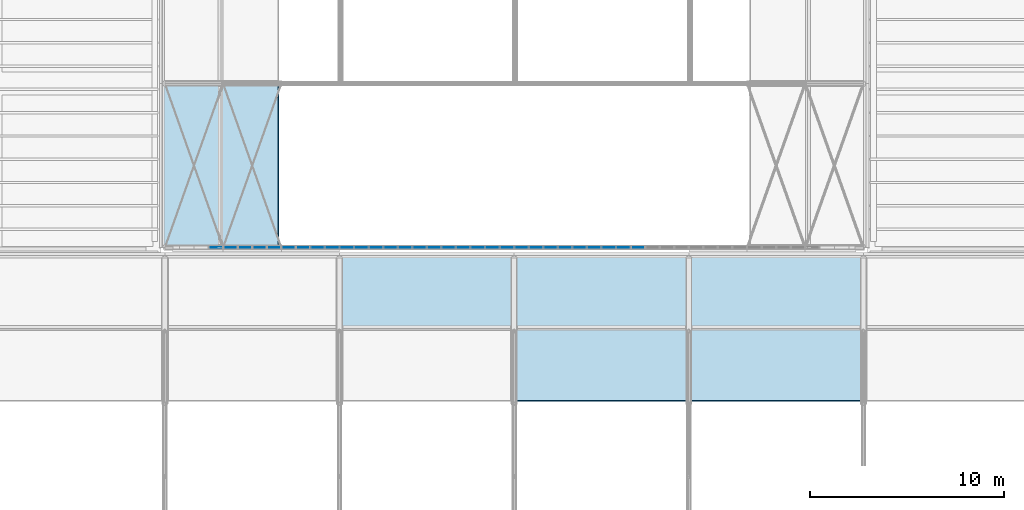
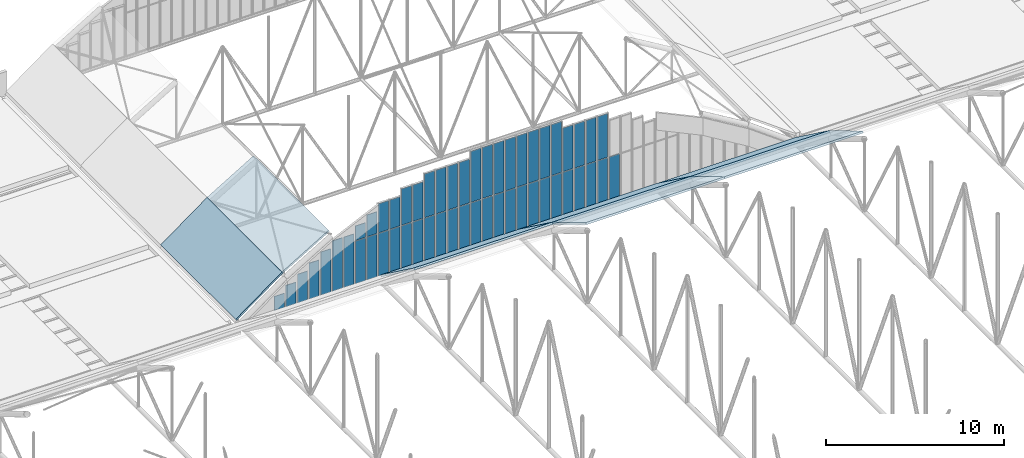
# One storey, part 96 of 153: 52 plates, 7 slabs, 30 elements without a shape of their own.
"""IFC4 building model written with IfcOpenShell, lengths in metres."""

from ifc_helpers import new_model, si_unit, direction, frame, origin, origin_2d, place, context, subcontext, project, spatial, polyline, rectangle, outline, extrude, material, layer, layer_set, type_object, element, aggregate, save


model = new_model("IFC4")

# Units and contexts
model_context = context("Model", 3, precision=1e-05, world=origin(), true_north=direction((0.0, 1.0)))
body_context = subcontext(model_context, "Body", "Model", "MODEL_VIEW")
ifc_project = project(units=[si_unit("LENGTHUNIT", "METRE"), si_unit("AREAUNIT", "SQUARE_METRE"), si_unit("VOLUMEUNIT", "CUBIC_METRE"), si_unit("PLANEANGLEUNIT", "RADIAN"), si_unit("MASSUNIT", "GRAM", prefix="KILO")], contexts=[model_context])

# Site, building, storey
site_placement = place(None, origin())
site = spatial("IfcSite", under=ifc_project, at=site_placement, CompositionType="ELEMENT")
building_placement = place(site_placement, origin())
building = spatial("IfcBuilding", under=site, at=building_placement, Name="Baradari Gate Terminus", CompositionType="ELEMENT")
storey_placement = place(building_placement, frame((0.0, 0.0, 11.699951171875)))
storey = spatial("IfcBuildingStorey", under=building, at=storey_placement, Name="L02", CompositionType="ELEMENT", Elevation=11.699951171875)

# Curtain wall, plate
ifc_material_1 = material(Name="Aluminium 6063-T6", Category="aluminium")
curtain_wall_type = type_object("IfcCurtainWallType", Name="Curtain wall CW-60 hall gable glazing", PredefinedType="NOTDEFINED", material=ifc_material_1)
curtain_wall_1_placement = place(storey_placement, origin())
curtain_wall_1 = element("IfcCurtainWall", 1, at=curtain_wall_1_placement, inside=storey, type_object=curtain_wall_type, Name="Hall gable glazing S4", PredefinedType="NOTDEFINED")
ifc_material_2 = material(Name="Insulating glass unit", Category="glass")
ifc_layer_1 = layer(ifc_material_2, 0.0439453125)
ifc_layer_set_1 = layer_set([ifc_layer_1], Name="Insulating glass unit")
plate_type = type_object("IfcPlateType", Name="Curtain wall glazing unit CP-60 44", PredefinedType="CURTAIN_PANEL", material=ifc_layer_set_1)
plate_1_placement = place(storey_placement, frame((137.625, 81.550048828125, 0.28466796875), z_axis=(0.0, 0.0, 1.0), x_axis=(1.0, 0.0, 0.0)))
plate_1 = element("IfcPlate", 2, at=plate_1_placement, type_object=plate_type, Name="CW-60 panel 1.1", PredefinedType="CURTAIN_PANEL", context=body_context, shape_type="SweptSolid", body=[
    extrude(rectangle(XDim=0.64990234375, YDim=0.0439453125, at=origin_2d()), origin(), (0.0, 0.0, 1.0), 0.965576171875),
])
aggregate(curtain_wall_1, [plate_1])

curtain_wall_2_placement = place(storey_placement, origin())
curtain_wall_2 = element("IfcCurtainWall", 3, at=curtain_wall_2_placement, inside=storey, type_object=curtain_wall_type, Name="Hall gable glazing S5", PredefinedType="NOTDEFINED")
plate_2_placement = place(storey_placement, frame((138.375, 81.550048828125, 0.28466796875), z_axis=(0.0, 0.0, 1.0), x_axis=(1.0, 0.0, 0.0)))
plate_2 = element("IfcPlate", 4, at=plate_2_placement, type_object=plate_type, Name="CW-60 panel 1.1", PredefinedType="CURTAIN_PANEL", context=body_context, shape_type="SweptSolid", body=[
    extrude(rectangle(XDim=0.64990234375, YDim=0.0439453125, at=origin_2d()), origin(), (0.0, 0.0, 1.0), 1.465576171875),
])
aggregate(curtain_wall_2, [plate_2])

curtain_wall_3_placement = place(storey_placement, origin())
curtain_wall_3 = element("IfcCurtainWall", 5, at=curtain_wall_3_placement, inside=storey, type_object=curtain_wall_type, Name="Hall gable glazing S6", PredefinedType="NOTDEFINED")
plate_3_placement = place(storey_placement, frame((139.125, 81.550048828125, 0.28466796875), z_axis=(0.0, 0.0, 1.0), x_axis=(1.0, 0.0, 0.0)))
plate_3 = element("IfcPlate", 6, at=plate_3_placement, type_object=plate_type, Name="CW-60 panel 1.1", PredefinedType="CURTAIN_PANEL", context=body_context, shape_type="SweptSolid", body=[
    extrude(rectangle(XDim=0.64990234375, YDim=0.0439453125, at=origin_2d()), origin(), (0.0, 0.0, 1.0), 1.965576171875),
])
aggregate(curtain_wall_3, [plate_3])

curtain_wall_4_placement = place(storey_placement, origin())
curtain_wall_4 = element("IfcCurtainWall", 7, at=curtain_wall_4_placement, inside=storey, type_object=curtain_wall_type, Name="Hall gable glazing S7", PredefinedType="NOTDEFINED")
plate_4_placement = place(storey_placement, frame((139.875, 81.550048828125, 0.28466796875), z_axis=(0.0, 0.0, 1.0), x_axis=(1.0, 0.0, 0.0)))
plate_4 = element("IfcPlate", 8, at=plate_4_placement, type_object=plate_type, Name="CW-60 panel 1.1", PredefinedType="CURTAIN_PANEL", context=body_context, shape_type="SweptSolid", body=[
    extrude(rectangle(XDim=0.64990234375, YDim=0.0439453125, at=origin_2d()), origin(), (0.0, 0.0, 1.0), 2.465576171875),
])
aggregate(curtain_wall_4, [plate_4])

curtain_wall_5_placement = place(storey_placement, origin())
curtain_wall_5 = element("IfcCurtainWall", 9, at=curtain_wall_5_placement, inside=storey, type_object=curtain_wall_type, Name="Hall gable glazing S8", PredefinedType="NOTDEFINED")
plate_5_placement = place(storey_placement, frame((140.625, 81.550048828125, 0.28466796875), z_axis=(0.0, 0.0, 1.0), x_axis=(1.0, 0.0, 0.0)))
plate_5 = element("IfcPlate", 10, at=plate_5_placement, type_object=plate_type, Name="CW-60 panel 1.1", PredefinedType="CURTAIN_PANEL", context=body_context, shape_type="SweptSolid", body=[
    extrude(rectangle(XDim=0.64990234375, YDim=0.0439453125, at=origin_2d()), origin(), (0.0, 0.0, 1.0), 2.965576171875),
])
aggregate(curtain_wall_5, [plate_5])

curtain_wall_6_placement = place(storey_placement, origin())
curtain_wall_6 = element("IfcCurtainWall", 11, at=curtain_wall_6_placement, inside=storey, type_object=curtain_wall_type, Name="Hall gable glazing S9", PredefinedType="NOTDEFINED")
plate_6_placement = place(storey_placement, frame((141.375, 81.550048828125, 0.28466796875), z_axis=(0.0, 0.0, 1.0), x_axis=(1.0, 0.0, 0.0)))
plate_6 = element("IfcPlate", 12, at=plate_6_placement, type_object=plate_type, Name="CW-60 panel 1.1", PredefinedType="CURTAIN_PANEL", context=body_context, shape_type="SweptSolid", body=[
    extrude(rectangle(XDim=0.64990234375, YDim=0.0439453125, at=origin_2d()), origin(), (0.0, 0.0, 1.0), 3.465576171875),
])
aggregate(curtain_wall_6, [plate_6])

curtain_wall_7_placement = place(storey_placement, origin())
curtain_wall_7 = element("IfcCurtainWall", 13, at=curtain_wall_7_placement, inside=storey, type_object=curtain_wall_type, Name="Hall gable glazing S10", PredefinedType="NOTDEFINED")
plate_7_placement = place(storey_placement, frame((142.125, 81.550048828125, 0.28466796875), z_axis=(0.0, 0.0, 1.0), x_axis=(1.0, 0.0, 0.0)))
plate_7 = element("IfcPlate", 14, at=plate_7_placement, type_object=plate_type, Name="CW-60 panel 1.1", PredefinedType="CURTAIN_PANEL", context=body_context, shape_type="SweptSolid", body=[
    extrude(rectangle(XDim=0.64990234375, YDim=0.0439453125, at=origin_2d()), origin(), (0.0, 0.0, 1.0), 3.465576171875),
])
aggregate(curtain_wall_7, [plate_7])

# Curtain wall, plates
curtain_wall_8_placement = place(storey_placement, origin())
curtain_wall_8 = element("IfcCurtainWall", 15, at=curtain_wall_8_placement, inside=storey, type_object=curtain_wall_type, Name="Hall gable glazing S11", PredefinedType="NOTDEFINED")
plate_8_placement = place(storey_placement, frame((142.875, 81.550048828125, 0.28466796875), z_axis=(0.0, 0.0, 1.0), x_axis=(1.0, 0.0, 0.0)))
plate_8 = element("IfcPlate", 16, at=plate_8_placement, type_object=plate_type, Name="CW-60 panel 1.1", PredefinedType="CURTAIN_PANEL", context=body_context, shape_type="SweptSolid", body=[
    extrude(rectangle(XDim=0.64990234375, YDim=0.0439453125, at=origin_2d()), origin(), (0.0, 0.0, 1.0), 2.925048828125),
])
plate_9_placement = place(storey_placement, frame((142.875, 81.550048828125, 3.259765625), z_axis=(0.0, 0.0, 1.0), x_axis=(1.0, 0.0, 0.0)))
plate_9 = element("IfcPlate", 17, at=plate_9_placement, type_object=plate_type, Name="CW-60 panel 1.2", PredefinedType="CURTAIN_PANEL", context=body_context, shape_type="SweptSolid", body=[
    extrude(rectangle(XDim=0.64990234375, YDim=0.0439453125, at=origin_2d()), origin(), (0.0, 0.0, 1.0), 0.990478515625),
])
aggregate(curtain_wall_8, [plate_8, plate_9])

curtain_wall_9_placement = place(storey_placement, origin())
curtain_wall_9 = element("IfcCurtainWall", 18, at=curtain_wall_9_placement, inside=storey, type_object=curtain_wall_type, Name="Hall gable glazing S12", PredefinedType="NOTDEFINED")
plate_10_placement = place(storey_placement, frame((143.625, 81.550048828125, 0.28466796875), z_axis=(0.0, 0.0, 1.0), x_axis=(1.0, 0.0, 0.0)))
plate_10 = element("IfcPlate", 19, at=plate_10_placement, type_object=plate_type, Name="CW-60 panel 1.1", PredefinedType="CURTAIN_PANEL", context=body_context, shape_type="SweptSolid", body=[
    extrude(rectangle(XDim=0.64990234375, YDim=0.0439453125, at=origin_2d()), origin(), (0.0, 0.0, 1.0), 2.925048828125),
])
plate_11_placement = place(storey_placement, frame((143.625, 81.550048828125, 3.259765625), z_axis=(0.0, 0.0, 1.0), x_axis=(1.0, 0.0, 0.0)))
plate_11 = element("IfcPlate", 20, at=plate_11_placement, type_object=plate_type, Name="CW-60 panel 1.2", PredefinedType="CURTAIN_PANEL", context=body_context, shape_type="SweptSolid", body=[
    extrude(rectangle(XDim=0.64990234375, YDim=0.0439453125, at=origin_2d()), origin(), (0.0, 0.0, 1.0), 1.490478515625),
])
aggregate(curtain_wall_9, [plate_10, plate_11])

curtain_wall_10_placement = place(storey_placement, origin())
curtain_wall_10 = element("IfcCurtainWall", 21, at=curtain_wall_10_placement, inside=storey, type_object=curtain_wall_type, Name="Hall gable glazing S13", PredefinedType="NOTDEFINED")
plate_12_placement = place(storey_placement, frame((144.375, 81.550048828125, 0.28466796875), z_axis=(0.0, 0.0, 1.0), x_axis=(1.0, 0.0, 0.0)))
plate_12 = element("IfcPlate", 22, at=plate_12_placement, type_object=plate_type, Name="CW-60 panel 1.1", PredefinedType="CURTAIN_PANEL", context=body_context, shape_type="SweptSolid", body=[
    extrude(rectangle(XDim=0.64990234375, YDim=0.0439453125, at=origin_2d()), origin(), (0.0, 0.0, 1.0), 2.925048828125),
])
plate_13_placement = place(storey_placement, frame((144.375, 81.550048828125, 3.259765625), z_axis=(0.0, 0.0, 1.0), x_axis=(1.0, 0.0, 0.0)))
plate_13 = element("IfcPlate", 23, at=plate_13_placement, type_object=plate_type, Name="CW-60 panel 1.2", PredefinedType="CURTAIN_PANEL", context=body_context, shape_type="SweptSolid", body=[
    extrude(rectangle(XDim=0.64990234375, YDim=0.0439453125, at=origin_2d()), origin(), (0.0, 0.0, 1.0), 1.990478515625),
])
aggregate(curtain_wall_10, [plate_12, plate_13])

curtain_wall_11_placement = place(storey_placement, origin())
curtain_wall_11 = element("IfcCurtainWall", 24, at=curtain_wall_11_placement, inside=storey, type_object=curtain_wall_type, Name="Hall gable glazing S14", PredefinedType="NOTDEFINED")
plate_14_placement = place(storey_placement, frame((145.125, 81.550048828125, 0.28466796875), z_axis=(0.0, 0.0, 1.0), x_axis=(1.0, 0.0, 0.0)))
plate_14 = element("IfcPlate", 25, at=plate_14_placement, type_object=plate_type, Name="CW-60 panel 1.1", PredefinedType="CURTAIN_PANEL", context=body_context, shape_type="SweptSolid", body=[
    extrude(rectangle(XDim=0.64990234375, YDim=0.0439453125, at=origin_2d()), origin(), (0.0, 0.0, 1.0), 2.925048828125),
])
plate_15_placement = place(storey_placement, frame((145.125, 81.550048828125, 3.259765625), z_axis=(0.0, 0.0, 1.0), x_axis=(1.0, 0.0, 0.0)))
plate_15 = element("IfcPlate", 26, at=plate_15_placement, type_object=plate_type, Name="CW-60 panel 1.2", PredefinedType="CURTAIN_PANEL", context=body_context, shape_type="SweptSolid", body=[
    extrude(rectangle(XDim=0.64990234375, YDim=0.0439453125, at=origin_2d()), origin(), (0.0, 0.0, 1.0), 1.990478515625),
])
aggregate(curtain_wall_11, [plate_14, plate_15])

curtain_wall_12_placement = place(storey_placement, origin())
curtain_wall_12 = element("IfcCurtainWall", 27, at=curtain_wall_12_placement, inside=storey, type_object=curtain_wall_type, Name="Hall gable glazing S15", PredefinedType="NOTDEFINED")
plate_16_placement = place(storey_placement, frame((145.875, 81.550048828125, 0.28466796875), z_axis=(0.0, 0.0, 1.0), x_axis=(1.0, 0.0, 0.0)))
plate_16 = element("IfcPlate", 28, at=plate_16_placement, type_object=plate_type, Name="CW-60 panel 1.1", PredefinedType="CURTAIN_PANEL", context=body_context, shape_type="SweptSolid", body=[
    extrude(rectangle(XDim=0.64990234375, YDim=0.0439453125, at=origin_2d()), origin(), (0.0, 0.0, 1.0), 2.925048828125),
])
plate_17_placement = place(storey_placement, frame((145.875, 81.550048828125, 3.259765625), z_axis=(0.0, 0.0, 1.0), x_axis=(1.0, 0.0, 0.0)))
plate_17 = element("IfcPlate", 29, at=plate_17_placement, type_object=plate_type, Name="CW-60 panel 1.2", PredefinedType="CURTAIN_PANEL", context=body_context, shape_type="SweptSolid", body=[
    extrude(rectangle(XDim=0.64990234375, YDim=0.0439453125, at=origin_2d()), origin(), (0.0, 0.0, 1.0), 2.490478515625),
])
aggregate(curtain_wall_12, [plate_16, plate_17])

curtain_wall_13_placement = place(storey_placement, origin())
curtain_wall_13 = element("IfcCurtainWall", 30, at=curtain_wall_13_placement, inside=storey, type_object=curtain_wall_type, Name="Hall gable glazing S16", PredefinedType="NOTDEFINED")
plate_18_placement = place(storey_placement, frame((146.625, 81.550048828125, 0.28466796875), z_axis=(0.0, 0.0, 1.0), x_axis=(1.0, 0.0, 0.0)))
plate_18 = element("IfcPlate", 31, at=plate_18_placement, type_object=plate_type, Name="CW-60 panel 1.1", PredefinedType="CURTAIN_PANEL", context=body_context, shape_type="SweptSolid", body=[
    extrude(rectangle(XDim=0.64990234375, YDim=0.0439453125, at=origin_2d()), origin(), (0.0, 0.0, 1.0), 2.925048828125),
])
plate_19_placement = place(storey_placement, frame((146.625, 81.550048828125, 3.259765625), z_axis=(0.0, 0.0, 1.0), x_axis=(1.0, 0.0, 0.0)))
plate_19 = element("IfcPlate", 32, at=plate_19_placement, type_object=plate_type, Name="CW-60 panel 1.2", PredefinedType="CURTAIN_PANEL", context=body_context, shape_type="SweptSolid", body=[
    extrude(rectangle(XDim=0.64990234375, YDim=0.0439453125, at=origin_2d()), origin(), (0.0, 0.0, 1.0), 2.490478515625),
])
aggregate(curtain_wall_13, [plate_18, plate_19])

curtain_wall_14_placement = place(storey_placement, origin())
curtain_wall_14 = element("IfcCurtainWall", 33, at=curtain_wall_14_placement, inside=storey, type_object=curtain_wall_type, Name="Hall gable glazing S17", PredefinedType="NOTDEFINED")
plate_20_placement = place(storey_placement, frame((147.375, 81.550048828125, 0.28466796875), z_axis=(0.0, 0.0, 1.0), x_axis=(1.0, 0.0, 0.0)))
plate_20 = element("IfcPlate", 34, at=plate_20_placement, type_object=plate_type, Name="CW-60 panel 1.1", PredefinedType="CURTAIN_PANEL", context=body_context, shape_type="SweptSolid", body=[
    extrude(rectangle(XDim=0.64990234375, YDim=0.0439453125, at=origin_2d()), origin(), (0.0, 0.0, 1.0), 2.925048828125),
])
plate_21_placement = place(storey_placement, frame((147.375, 81.550048828125, 3.259765625), z_axis=(0.0, 0.0, 1.0), x_axis=(1.0, 0.0, 0.0)))
plate_21 = element("IfcPlate", 35, at=plate_21_placement, type_object=plate_type, Name="CW-60 panel 1.2", PredefinedType="CURTAIN_PANEL", context=body_context, shape_type="SweptSolid", body=[
    extrude(rectangle(XDim=0.64990234375, YDim=0.0439453125, at=origin_2d()), origin(), (0.0, 0.0, 1.0), 2.990478515625),
])
aggregate(curtain_wall_14, [plate_20, plate_21])

curtain_wall_15_placement = place(storey_placement, origin())
curtain_wall_15 = element("IfcCurtainWall", 36, at=curtain_wall_15_placement, inside=storey, type_object=curtain_wall_type, Name="Hall gable glazing S18", PredefinedType="NOTDEFINED")
plate_22_placement = place(storey_placement, frame((148.125, 81.550048828125, 0.28466796875), z_axis=(0.0, 0.0, 1.0), x_axis=(1.0, 0.0, 0.0)))
plate_22 = element("IfcPlate", 37, at=plate_22_placement, type_object=plate_type, Name="CW-60 panel 1.1", PredefinedType="CURTAIN_PANEL", context=body_context, shape_type="SweptSolid", body=[
    extrude(rectangle(XDim=0.64990234375, YDim=0.0439453125, at=origin_2d()), origin(), (0.0, 0.0, 1.0), 2.925048828125),
])
plate_23_placement = place(storey_placement, frame((148.125, 81.550048828125, 3.259765625), z_axis=(0.0, 0.0, 1.0), x_axis=(1.0, 0.0, 0.0)))
plate_23 = element("IfcPlate", 38, at=plate_23_placement, type_object=plate_type, Name="CW-60 panel 1.2", PredefinedType="CURTAIN_PANEL", context=body_context, shape_type="SweptSolid", body=[
    extrude(rectangle(XDim=0.64990234375, YDim=0.0439453125, at=origin_2d()), origin(), (0.0, 0.0, 1.0), 2.990478515625),
])
aggregate(curtain_wall_15, [plate_22, plate_23])

curtain_wall_16_placement = place(storey_placement, origin())
curtain_wall_16 = element("IfcCurtainWall", 39, at=curtain_wall_16_placement, inside=storey, type_object=curtain_wall_type, Name="Hall gable glazing S19", PredefinedType="NOTDEFINED")
plate_24_placement = place(storey_placement, frame((148.875, 81.550048828125, 0.28466796875), z_axis=(0.0, 0.0, 1.0), x_axis=(1.0, 0.0, 0.0)))
plate_24 = element("IfcPlate", 40, at=plate_24_placement, type_object=plate_type, Name="CW-60 panel 1.1", PredefinedType="CURTAIN_PANEL", context=body_context, shape_type="SweptSolid", body=[
    extrude(rectangle(XDim=0.64990234375, YDim=0.0439453125, at=origin_2d()), origin(), (0.0, 0.0, 1.0), 2.925048828125),
])
plate_25_placement = place(storey_placement, frame((148.875, 81.550048828125, 3.259765625), z_axis=(0.0, 0.0, 1.0), x_axis=(1.0, 0.0, 0.0)))
plate_25 = element("IfcPlate", 41, at=plate_25_placement, type_object=plate_type, Name="CW-60 panel 1.2", PredefinedType="CURTAIN_PANEL", context=body_context, shape_type="SweptSolid", body=[
    extrude(rectangle(XDim=0.64990234375, YDim=0.0439453125, at=origin_2d()), origin(), (0.0, 0.0, 1.0), 2.990478515625),
])
aggregate(curtain_wall_16, [plate_24, plate_25])

curtain_wall_17_placement = place(storey_placement, origin())
curtain_wall_17 = element("IfcCurtainWall", 42, at=curtain_wall_17_placement, inside=storey, type_object=curtain_wall_type, Name="Hall gable glazing S20", PredefinedType="NOTDEFINED")
plate_26_placement = place(storey_placement, frame((149.625, 81.550048828125, 0.28466796875), z_axis=(0.0, 0.0, 1.0), x_axis=(1.0, 0.0, 0.0)))
plate_26 = element("IfcPlate", 43, at=plate_26_placement, type_object=plate_type, Name="CW-60 panel 1.1", PredefinedType="CURTAIN_PANEL", context=body_context, shape_type="SweptSolid", body=[
    extrude(rectangle(XDim=0.64990234375, YDim=0.0439453125, at=origin_2d()), origin(), (0.0, 0.0, 1.0), 2.925048828125),
])
plate_27_placement = place(storey_placement, frame((149.625, 81.550048828125, 3.259765625), z_axis=(0.0, 0.0, 1.0), x_axis=(1.0, 0.0, 0.0)))
plate_27 = element("IfcPlate", 44, at=plate_27_placement, type_object=plate_type, Name="CW-60 panel 1.2", PredefinedType="CURTAIN_PANEL", context=body_context, shape_type="SweptSolid", body=[
    extrude(rectangle(XDim=0.64990234375, YDim=0.0439453125, at=origin_2d()), origin(), (0.0, 0.0, 1.0), 2.990478515625),
])
aggregate(curtain_wall_17, [plate_26, plate_27])

curtain_wall_18_placement = place(storey_placement, origin())
curtain_wall_18 = element("IfcCurtainWall", 45, at=curtain_wall_18_placement, inside=storey, type_object=curtain_wall_type, Name="Hall gable glazing S21", PredefinedType="NOTDEFINED")
plate_28_placement = place(storey_placement, frame((150.375, 81.550048828125, 0.28466796875), z_axis=(0.0, 0.0, 1.0), x_axis=(1.0, 0.0, 0.0)))
plate_28 = element("IfcPlate", 46, at=plate_28_placement, type_object=plate_type, Name="CW-60 panel 1.1", PredefinedType="CURTAIN_PANEL", context=body_context, shape_type="SweptSolid", body=[
    extrude(rectangle(XDim=0.64990234375, YDim=0.0439453125, at=origin_2d()), origin(), (0.0, 0.0, 1.0), 2.925048828125),
])
plate_29_placement = place(storey_placement, frame((150.375, 81.550048828125, 3.259765625), z_axis=(0.0, 0.0, 1.0), x_axis=(1.0, 0.0, 0.0)))
plate_29 = element("IfcPlate", 47, at=plate_29_placement, type_object=plate_type, Name="CW-60 panel 1.2", PredefinedType="CURTAIN_PANEL", context=body_context, shape_type="SweptSolid", body=[
    extrude(rectangle(XDim=0.64990234375, YDim=0.0439453125, at=origin_2d()), origin(), (0.0, 0.0, 1.0), 3.490478515625),
])
aggregate(curtain_wall_18, [plate_28, plate_29])

curtain_wall_19_placement = place(storey_placement, origin())
curtain_wall_19 = element("IfcCurtainWall", 48, at=curtain_wall_19_placement, inside=storey, type_object=curtain_wall_type, Name="Hall gable glazing S22", PredefinedType="NOTDEFINED")
plate_30_placement = place(storey_placement, frame((151.125, 81.550048828125, 0.28466796875), z_axis=(0.0, 0.0, 1.0), x_axis=(1.0, 0.0, 0.0)))
plate_30 = element("IfcPlate", 49, at=plate_30_placement, type_object=plate_type, Name="CW-60 panel 1.1", PredefinedType="CURTAIN_PANEL", context=body_context, shape_type="SweptSolid", body=[
    extrude(rectangle(XDim=0.64990234375, YDim=0.0439453125, at=origin_2d()), origin(), (0.0, 0.0, 1.0), 2.925048828125),
])
plate_31_placement = place(storey_placement, frame((151.125, 81.550048828125, 3.259765625), z_axis=(0.0, 0.0, 1.0), x_axis=(1.0, 0.0, 0.0)))
plate_31 = element("IfcPlate", 50, at=plate_31_placement, type_object=plate_type, Name="CW-60 panel 1.2", PredefinedType="CURTAIN_PANEL", context=body_context, shape_type="SweptSolid", body=[
    extrude(rectangle(XDim=0.64990234375, YDim=0.0439453125, at=origin_2d()), origin(), (0.0, 0.0, 1.0), 3.490478515625),
])
aggregate(curtain_wall_19, [plate_30, plate_31])

curtain_wall_20_placement = place(storey_placement, origin())
curtain_wall_20 = element("IfcCurtainWall", 51, at=curtain_wall_20_placement, inside=storey, type_object=curtain_wall_type, Name="Hall gable glazing S23", PredefinedType="NOTDEFINED")
plate_32_placement = place(storey_placement, frame((151.875, 81.550048828125, 0.28466796875), z_axis=(0.0, 0.0, 1.0), x_axis=(1.0, 0.0, 0.0)))
plate_32 = element("IfcPlate", 52, at=plate_32_placement, type_object=plate_type, Name="CW-60 panel 1.1", PredefinedType="CURTAIN_PANEL", context=body_context, shape_type="SweptSolid", body=[
    extrude(rectangle(XDim=0.64990234375, YDim=0.0439453125, at=origin_2d()), origin(), (0.0, 0.0, 1.0), 2.925048828125),
])
plate_33_placement = place(storey_placement, frame((151.875, 81.550048828125, 3.259765625), z_axis=(0.0, 0.0, 1.0), x_axis=(1.0, 0.0, 0.0)))
plate_33 = element("IfcPlate", 53, at=plate_33_placement, type_object=plate_type, Name="CW-60 panel 1.2", PredefinedType="CURTAIN_PANEL", context=body_context, shape_type="SweptSolid", body=[
    extrude(rectangle(XDim=0.64990234375, YDim=0.0439453125, at=origin_2d()), origin(), (0.0, 0.0, 1.0), 3.490478515625),
])
aggregate(curtain_wall_20, [plate_32, plate_33])

curtain_wall_21_placement = place(storey_placement, origin())
curtain_wall_21 = element("IfcCurtainWall", 54, at=curtain_wall_21_placement, inside=storey, type_object=curtain_wall_type, Name="Hall gable glazing S24", PredefinedType="NOTDEFINED")
plate_34_placement = place(storey_placement, frame((152.625, 81.550048828125, 0.28466796875), z_axis=(0.0, 0.0, 1.0), x_axis=(1.0, 0.0, 0.0)))
plate_34 = element("IfcPlate", 55, at=plate_34_placement, type_object=plate_type, Name="CW-60 panel 1.1", PredefinedType="CURTAIN_PANEL", context=body_context, shape_type="SweptSolid", body=[
    extrude(rectangle(XDim=0.64990234375, YDim=0.0439453125, at=origin_2d()), origin(), (0.0, 0.0, 1.0), 2.925048828125),
])
plate_35_placement = place(storey_placement, frame((152.625, 81.550048828125, 3.259765625), z_axis=(0.0, 0.0, 1.0), x_axis=(1.0, 0.0, 0.0)))
plate_35 = element("IfcPlate", 56, at=plate_35_placement, type_object=plate_type, Name="CW-60 panel 1.2", PredefinedType="CURTAIN_PANEL", context=body_context, shape_type="SweptSolid", body=[
    extrude(rectangle(XDim=0.64990234375, YDim=0.0439453125, at=origin_2d()), origin(), (0.0, 0.0, 1.0), 3.490478515625),
])
aggregate(curtain_wall_21, [plate_34, plate_35])

curtain_wall_22_placement = place(storey_placement, origin())
curtain_wall_22 = element("IfcCurtainWall", 57, at=curtain_wall_22_placement, inside=storey, type_object=curtain_wall_type, Name="Hall gable glazing S25", PredefinedType="NOTDEFINED")
plate_36_placement = place(storey_placement, frame((153.375, 81.550048828125, 0.28466796875), z_axis=(0.0, 0.0, 1.0), x_axis=(1.0, 0.0, 0.0)))
plate_36 = element("IfcPlate", 58, at=plate_36_placement, type_object=plate_type, Name="CW-60 panel 1.1", PredefinedType="CURTAIN_PANEL", context=body_context, shape_type="SweptSolid", body=[
    extrude(rectangle(XDim=0.64990234375, YDim=0.0439453125, at=origin_2d()), origin(), (0.0, 0.0, 1.0), 2.925048828125),
])
plate_37_placement = place(storey_placement, frame((153.375, 81.550048828125, 3.259765625), z_axis=(0.0, 0.0, 1.0), x_axis=(1.0, 0.0, 0.0)))
plate_37 = element("IfcPlate", 59, at=plate_37_placement, type_object=plate_type, Name="CW-60 panel 1.2", PredefinedType="CURTAIN_PANEL", context=body_context, shape_type="SweptSolid", body=[
    extrude(rectangle(XDim=0.64990234375, YDim=0.0439453125, at=origin_2d()), origin(), (0.0, 0.0, 1.0), 3.490478515625),
])
aggregate(curtain_wall_22, [plate_36, plate_37])

curtain_wall_23_placement = place(storey_placement, origin())
curtain_wall_23 = element("IfcCurtainWall", 60, at=curtain_wall_23_placement, inside=storey, type_object=curtain_wall_type, Name="Hall gable glazing S26", PredefinedType="NOTDEFINED")
plate_38_placement = place(storey_placement, frame((154.125, 81.550048828125, 0.28466796875), z_axis=(0.0, 0.0, 1.0), x_axis=(1.0, 0.0, 0.0)))
plate_38 = element("IfcPlate", 61, at=plate_38_placement, type_object=plate_type, Name="CW-60 panel 1.1", PredefinedType="CURTAIN_PANEL", context=body_context, shape_type="SweptSolid", body=[
    extrude(rectangle(XDim=0.64990234375, YDim=0.0439453125, at=origin_2d()), origin(), (0.0, 0.0, 1.0), 2.925048828125),
])
plate_39_placement = place(storey_placement, frame((154.125, 81.550048828125, 3.259765625), z_axis=(0.0, 0.0, 1.0), x_axis=(1.0, 0.0, 0.0)))
plate_39 = element("IfcPlate", 62, at=plate_39_placement, type_object=plate_type, Name="CW-60 panel 1.2", PredefinedType="CURTAIN_PANEL", context=body_context, shape_type="SweptSolid", body=[
    extrude(rectangle(XDim=0.64990234375, YDim=0.0439453125, at=origin_2d()), origin(), (0.0, 0.0, 1.0), 3.490478515625),
])
aggregate(curtain_wall_23, [plate_38, plate_39])

curtain_wall_24_placement = place(storey_placement, origin())
curtain_wall_24 = element("IfcCurtainWall", 63, at=curtain_wall_24_placement, inside=storey, type_object=curtain_wall_type, Name="Hall gable glazing S27", PredefinedType="NOTDEFINED")
plate_40_placement = place(storey_placement, frame((154.875, 81.550048828125, 0.28466796875), z_axis=(0.0, 0.0, 1.0), x_axis=(1.0, 0.0, 0.0)))
plate_40 = element("IfcPlate", 64, at=plate_40_placement, type_object=plate_type, Name="CW-60 panel 1.1", PredefinedType="CURTAIN_PANEL", context=body_context, shape_type="SweptSolid", body=[
    extrude(rectangle(XDim=0.64990234375, YDim=0.0439453125, at=origin_2d()), origin(), (0.0, 0.0, 1.0), 2.925048828125),
])
plate_41_placement = place(storey_placement, frame((154.875, 81.550048828125, 3.259765625), z_axis=(0.0, 0.0, 1.0), x_axis=(1.0, 0.0, 0.0)))
plate_41 = element("IfcPlate", 65, at=plate_41_placement, type_object=plate_type, Name="CW-60 panel 1.2", PredefinedType="CURTAIN_PANEL", context=body_context, shape_type="SweptSolid", body=[
    extrude(rectangle(XDim=0.64990234375, YDim=0.0439453125, at=origin_2d()), origin(), (0.0, 0.0, 1.0), 3.490478515625),
])
aggregate(curtain_wall_24, [plate_40, plate_41])

curtain_wall_25_placement = place(storey_placement, origin())
curtain_wall_25 = element("IfcCurtainWall", 66, at=curtain_wall_25_placement, inside=storey, type_object=curtain_wall_type, Name="Hall gable glazing S28", PredefinedType="NOTDEFINED")
plate_42_placement = place(storey_placement, frame((155.625, 81.550048828125, 0.28466796875), z_axis=(0.0, 0.0, 1.0), x_axis=(1.0, 0.0, 0.0)))
plate_42 = element("IfcPlate", 67, at=plate_42_placement, type_object=plate_type, Name="CW-60 panel 1.1", PredefinedType="CURTAIN_PANEL", context=body_context, shape_type="SweptSolid", body=[
    extrude(rectangle(XDim=0.64990234375, YDim=0.0439453125, at=origin_2d()), origin(), (0.0, 0.0, 1.0), 2.925048828125),
])
plate_43_placement = place(storey_placement, frame((155.625, 81.550048828125, 3.259765625), z_axis=(0.0, 0.0, 1.0), x_axis=(1.0, 0.0, 0.0)))
plate_43 = element("IfcPlate", 68, at=plate_43_placement, type_object=plate_type, Name="CW-60 panel 1.2", PredefinedType="CURTAIN_PANEL", context=body_context, shape_type="SweptSolid", body=[
    extrude(rectangle(XDim=0.64990234375, YDim=0.0439453125, at=origin_2d()), origin(), (0.0, 0.0, 1.0), 3.490478515625),
])
aggregate(curtain_wall_25, [plate_42, plate_43])

curtain_wall_26_placement = place(storey_placement, origin())
curtain_wall_26 = element("IfcCurtainWall", 69, at=curtain_wall_26_placement, inside=storey, type_object=curtain_wall_type, Name="Hall gable glazing S29", PredefinedType="NOTDEFINED")
plate_44_placement = place(storey_placement, frame((156.375, 81.550048828125, 0.28466796875), z_axis=(0.0, 0.0, 1.0), x_axis=(1.0, 0.0, 0.0)))
plate_44 = element("IfcPlate", 70, at=plate_44_placement, type_object=plate_type, Name="CW-60 panel 1.1", PredefinedType="CURTAIN_PANEL", context=body_context, shape_type="SweptSolid", body=[
    extrude(rectangle(XDim=0.64990234375, YDim=0.0439453125, at=origin_2d()), origin(), (0.0, 0.0, 1.0), 2.925048828125),
])
plate_45_placement = place(storey_placement, frame((156.375, 81.550048828125, 3.259765625), z_axis=(0.0, 0.0, 1.0), x_axis=(1.0, 0.0, 0.0)))
plate_45 = element("IfcPlate", 71, at=plate_45_placement, type_object=plate_type, Name="CW-60 panel 1.2", PredefinedType="CURTAIN_PANEL", context=body_context, shape_type="SweptSolid", body=[
    extrude(rectangle(XDim=0.64990234375, YDim=0.0439453125, at=origin_2d()), origin(), (0.0, 0.0, 1.0), 2.990478515625),
])
aggregate(curtain_wall_26, [plate_44, plate_45])

curtain_wall_27_placement = place(storey_placement, origin())
curtain_wall_27 = element("IfcCurtainWall", 72, at=curtain_wall_27_placement, inside=storey, type_object=curtain_wall_type, Name="Hall gable glazing S30", PredefinedType="NOTDEFINED")
plate_46_placement = place(storey_placement, frame((157.125, 81.550048828125, 0.28466796875), z_axis=(0.0, 0.0, 1.0), x_axis=(1.0, 0.0, 0.0)))
plate_46 = element("IfcPlate", 73, at=plate_46_placement, type_object=plate_type, Name="CW-60 panel 1.1", PredefinedType="CURTAIN_PANEL", context=body_context, shape_type="SweptSolid", body=[
    extrude(rectangle(XDim=0.64990234375, YDim=0.0439453125, at=origin_2d()), origin(), (0.0, 0.0, 1.0), 2.925048828125),
])
plate_47_placement = place(storey_placement, frame((157.125, 81.550048828125, 3.259765625), z_axis=(0.0, 0.0, 1.0), x_axis=(1.0, 0.0, 0.0)))
plate_47 = element("IfcPlate", 74, at=plate_47_placement, type_object=plate_type, Name="CW-60 panel 1.2", PredefinedType="CURTAIN_PANEL", context=body_context, shape_type="SweptSolid", body=[
    extrude(rectangle(XDim=0.64990234375, YDim=0.0439453125, at=origin_2d()), origin(), (0.0, 0.0, 1.0), 2.990478515625),
])
aggregate(curtain_wall_27, [plate_46, plate_47])

curtain_wall_28_placement = place(storey_placement, origin())
curtain_wall_28 = element("IfcCurtainWall", 75, at=curtain_wall_28_placement, inside=storey, type_object=curtain_wall_type, Name="Hall gable glazing S31", PredefinedType="NOTDEFINED")
plate_48_placement = place(storey_placement, frame((157.875, 81.550048828125, 0.28466796875), z_axis=(0.0, 0.0, 1.0), x_axis=(1.0, 0.0, 0.0)))
plate_48 = element("IfcPlate", 76, at=plate_48_placement, type_object=plate_type, Name="CW-60 panel 1.1", PredefinedType="CURTAIN_PANEL", context=body_context, shape_type="SweptSolid", body=[
    extrude(rectangle(XDim=0.64990234375, YDim=0.0439453125, at=origin_2d()), origin(), (0.0, 0.0, 1.0), 2.925048828125),
])
plate_49_placement = place(storey_placement, frame((157.875, 81.550048828125, 3.259765625), z_axis=(0.0, 0.0, 1.0), x_axis=(1.0, 0.0, 0.0)))
plate_49 = element("IfcPlate", 77, at=plate_49_placement, type_object=plate_type, Name="CW-60 panel 1.2", PredefinedType="CURTAIN_PANEL", context=body_context, shape_type="SweptSolid", body=[
    extrude(rectangle(XDim=0.64990234375, YDim=0.0439453125, at=origin_2d()), origin(), (0.0, 0.0, 1.0), 2.990478515625),
])
aggregate(curtain_wall_28, [plate_48, plate_49])

curtain_wall_29_placement = place(storey_placement, origin())
curtain_wall_29 = element("IfcCurtainWall", 78, at=curtain_wall_29_placement, inside=storey, type_object=curtain_wall_type, Name="Hall gable glazing S32", PredefinedType="NOTDEFINED")
plate_50_placement = place(storey_placement, frame((158.625, 81.550048828125, 0.28466796875), z_axis=(0.0, 0.0, 1.0), x_axis=(1.0, 0.0, 0.0)))
plate_50 = element("IfcPlate", 79, at=plate_50_placement, type_object=plate_type, Name="CW-60 panel 1.1", PredefinedType="CURTAIN_PANEL", context=body_context, shape_type="SweptSolid", body=[
    extrude(rectangle(XDim=0.64990234375, YDim=0.0439453125, at=origin_2d()), origin(), (0.0, 0.0, 1.0), 2.925048828125),
])
plate_51_placement = place(storey_placement, frame((158.625, 81.550048828125, 3.259765625), z_axis=(0.0, 0.0, 1.0), x_axis=(1.0, 0.0, 0.0)))
plate_51 = element("IfcPlate", 80, at=plate_51_placement, type_object=plate_type, Name="CW-60 panel 1.2", PredefinedType="CURTAIN_PANEL", context=body_context, shape_type="SweptSolid", body=[
    extrude(rectangle(XDim=0.64990234375, YDim=0.0439453125, at=origin_2d()), origin(), (0.0, 0.0, 1.0), 2.990478515625),
])
aggregate(curtain_wall_29, [plate_50, plate_51])

# Curtain wall, plate
curtain_wall_30_placement = place(storey_placement, origin())
curtain_wall_30 = element("IfcCurtainWall", 81, at=curtain_wall_30_placement, inside=storey, type_object=curtain_wall_type, Name="Hall gable glazing S33", PredefinedType="NOTDEFINED")
plate_52_placement = place(storey_placement, frame((159.375, 81.550048828125, 0.28466796875), z_axis=(0.0, 0.0, 1.0), x_axis=(1.0, 0.0, 0.0)))
plate_52 = element("IfcPlate", 82, at=plate_52_placement, type_object=plate_type, Name="CW-60 panel 1.1", PredefinedType="CURTAIN_PANEL", context=body_context, shape_type="SweptSolid", body=[
    extrude(rectangle(XDim=0.64990234375, YDim=0.0439453125, at=origin_2d()), origin(), (0.0, 0.0, 1.0), 2.925048828125),
])
aggregate(curtain_wall_30, [plate_52])

# Slabs
ifc_material_3 = material(Name="Aluminium", Category="aluminium")
ifc_layer_2 = layer(ifc_material_3, 0.1201171875)
ifc_layer_set_2 = layer_set([ifc_layer_2], Name="Aluminium")
slab_type_1 = type_object("IfcSlabType", Name="Hall vault roof panel", PredefinedType="ROOF", material=ifc_layer_set_2)
slab_1_placement = place(storey_placement, frame((134.78125, 81.550048828125, 0.544677734375), z_axis=(-0.59064081852, 0.0, 0.806934584399), x_axis=(0.0, 1.0, 0.0)))
element("IfcSlab", 83, at=slab_1_placement, inside=storey, type_object=slab_type_1, Name="RF/L02/VR1-RP00", PredefinedType="ROOF", context=body_context, shape_type="SweptSolid", body=[
    extrude(outline(polyline([(0.0, 0.0), (8.449951171875, 0.0), (8.449951171875, -3.7350190138045614), (0.0, -3.7350190138045614), (0.0, 0.0)])), origin(), (0.0, 0.0, -1.0), 0.1201171875),
])
slab_2_placement = place(storey_placement, frame((137.795166015625, 81.550048828125, 2.750732421875), z_axis=(-0.513041174942, 0.0, 0.858363997855), x_axis=(0.0, 1.0, 0.0)))
element("IfcSlab", 84, at=slab_2_placement, inside=storey, type_object=slab_type_1, Name="RF/L02/VR1-RP01", PredefinedType="ROOF", context=body_context, shape_type="SweptSolid", body=[
    extrude(outline(polyline([(0.0, 0.0), (8.449951171875, 0.0), (8.449951171875, -3.5314272355019476), (0.0, -3.5314272355019476), (0.0, 0.0)])), origin(), (0.0, 0.0, -1.0), 0.1201171875),
])
ifc_material_4 = material(Name="Aluminium", Category="aluminium")
ifc_layer_3 = layer(ifc_material_4, 0.1201171875)
ifc_layer_set_3 = layer_set([ifc_layer_3], Name="Aluminium")
slab_type_2 = type_object("IfcSlabType", Name="Shed roof panel", PredefinedType="ROOF", material=ifc_layer_set_3)
slab_3_placement = place(storey_placement, frame((144.0, 77.463623046875, 3.328125), z_axis=(0.0, 0.590775958062, 0.806835650784), x_axis=(1.0, 0.0, 0.0)))
element("IfcSlab", 85, at=slab_3_placement, inside=storey, type_object=slab_type_2, Name="RF/L02/B153-RP11", PredefinedType="ROOF", context=body_context, shape_type="SweptSolid", body=[
    extrude(outline(polyline([(0.0, 0.0), (9.0, 0.0), (9.0, 4.665639518056), (0.0, 4.665639518056), (0.0, 0.0)])), origin(), (0.0, 0.0, -1.0), 0.1201171875),
])
slab_4_placement = place(storey_placement, frame((153.0, 73.680908203125, 5.590576171875), z_axis=(0.0, 0.513297855318, 0.85821052879), x_axis=(1.0, 0.0, 0.0)))
element("IfcSlab", 86, at=slab_4_placement, inside=storey, type_object=slab_type_2, Name="RF/L02/B162-RP10", PredefinedType="ROOF", context=body_context, shape_type="SweptSolid", body=[
    extrude(outline(polyline([(0.0, 0.0), (9.0, 0.0), (9.0, 4.407677040601449), (0.0, 4.407677040601449), (0.0, 0.0)])), origin(), (0.0, 0.0, -1.0), 0.1201171875),
])
slab_5_placement = place(storey_placement, frame((153.0, 77.463623046875, 3.328125), z_axis=(0.0, 0.590775958062, 0.806835650784), x_axis=(1.0, 0.0, 0.0)))
element("IfcSlab", 87, at=slab_5_placement, inside=storey, type_object=slab_type_2, Name="RF/L02/B162-RP11", PredefinedType="ROOF", context=body_context, shape_type="SweptSolid", body=[
    extrude(outline(polyline([(0.0, 0.0), (9.0, 0.0), (9.0, 4.665639518056), (0.0, 4.665639518056), (0.0, 0.0)])), origin(), (0.0, 0.0, -1.0), 0.1201171875),
])
slab_6_placement = place(storey_placement, frame((162.0, 73.680908203125, 5.590576171875), z_axis=(0.0, 0.513297855318, 0.85821052879), x_axis=(1.0, 0.0, 0.0)))
element("IfcSlab", 88, at=slab_6_placement, inside=storey, type_object=slab_type_2, Name="RF/L02/B171-RP10", PredefinedType="ROOF", context=body_context, shape_type="SweptSolid", body=[
    extrude(outline(polyline([(0.0, 0.0), (9.0, 0.0), (9.0, 4.407677040601449), (0.0, 4.407677040601449), (0.0, 0.0)])), origin(), (0.0, 0.0, -1.0), 0.1201171875),
])
slab_7_placement = place(storey_placement, frame((162.0, 77.463623046875, 3.328125), z_axis=(0.0, 0.590775958062, 0.806835650784), x_axis=(1.0, 0.0, 0.0)))
element("IfcSlab", 89, at=slab_7_placement, inside=storey, type_object=slab_type_2, Name="RF/L02/B171-RP11", PredefinedType="ROOF", context=body_context, shape_type="SweptSolid", body=[
    extrude(outline(polyline([(0.0, 0.0), (9.0, 0.0), (9.0, 4.665639518056), (0.0, 4.665639518056), (0.0, 0.0)])), origin(), (0.0, 0.0, -1.0), 0.1201171875),
])

save(model, "model.ifc")
